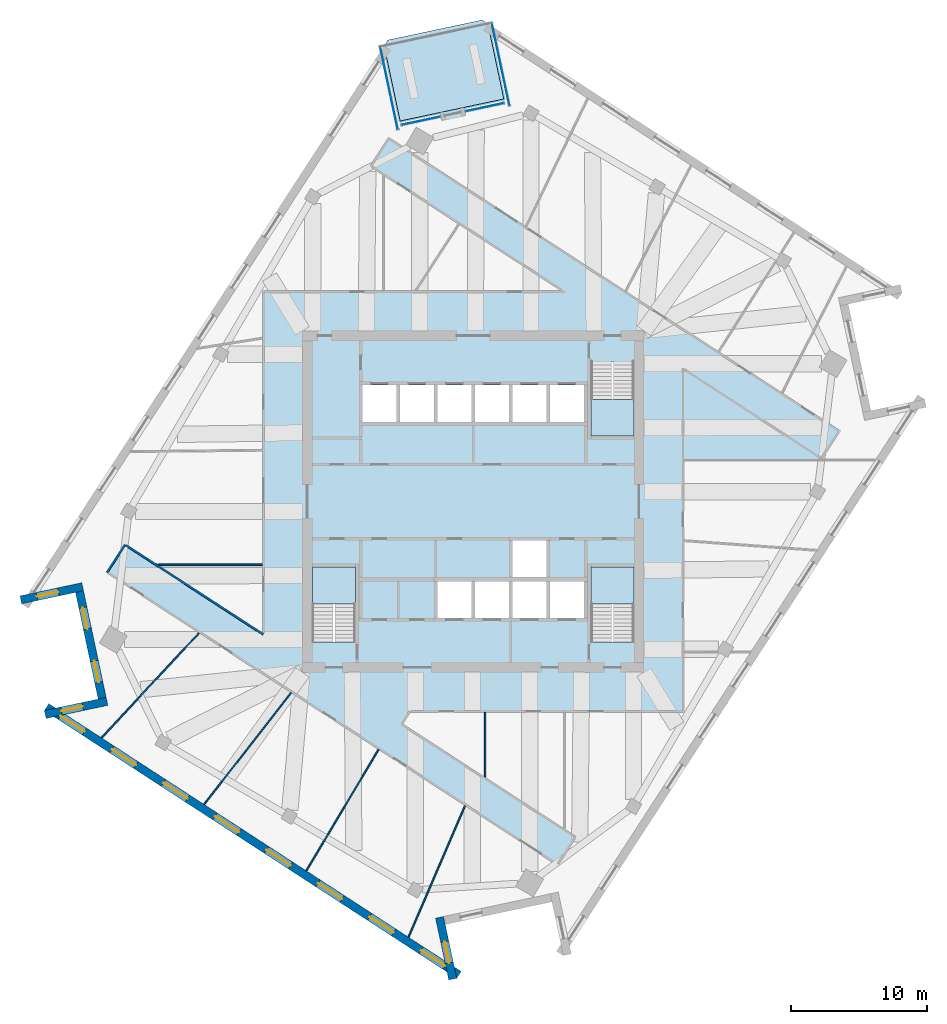
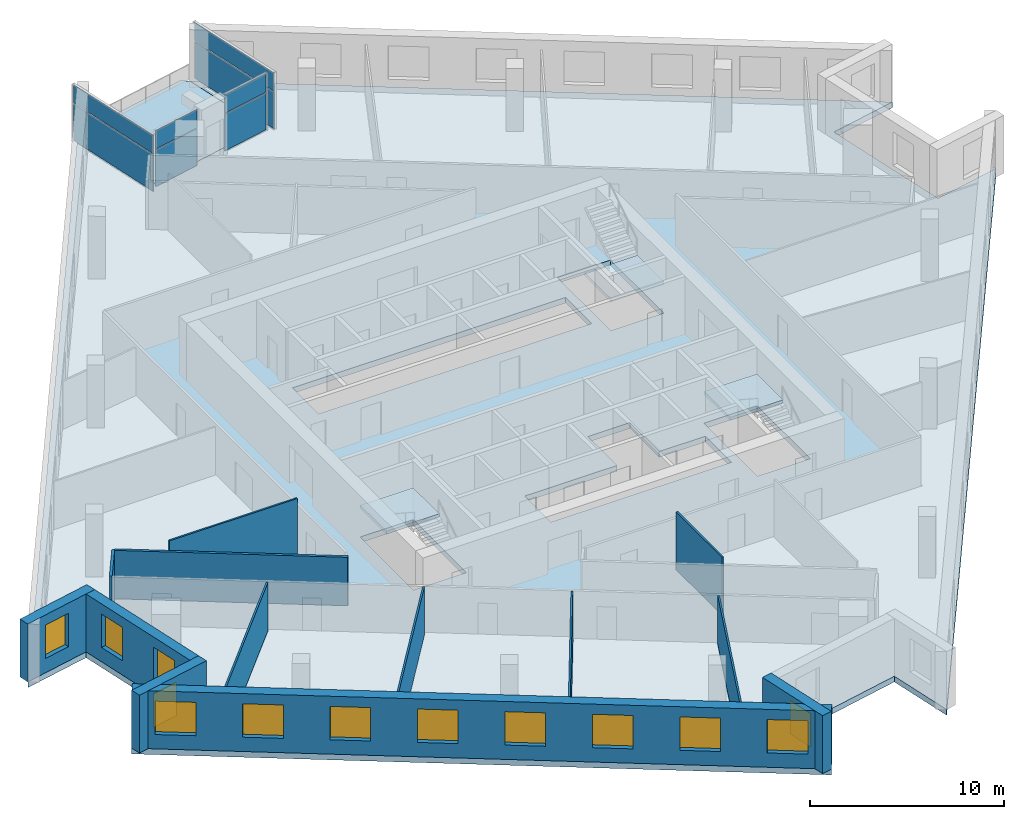
# One storey, part 5 of 12: 13 walls, 13 windows, 8 plates, 5 slabs, 13 openings, 7 elements without a shape of their own.
"""IFC4 building model written with IfcOpenShell, lengths in metres."""

from ifc_helpers import new_model, si_unit, direction, frame, frame_2d, origin, origin_2d, place, context, subcontext, project, spatial, polyline, rectangle, outline, extrude, material, layer, layer_set, type_object, element, fill, aggregate, save


model = new_model("IFC4")

# Units and contexts
model_context = context("Model", 3, precision=1e-05, world=origin(), true_north=direction((0.0, 1.0)))
body_context = subcontext(model_context, "Body", "Model", "MODEL_VIEW")
ifc_project = project(units=[si_unit("LENGTHUNIT", "METRE"), si_unit("AREAUNIT", "SQUARE_METRE"), si_unit("VOLUMEUNIT", "CUBIC_METRE"), si_unit("PLANEANGLEUNIT", "RADIAN"), si_unit("MASSUNIT", "GRAM", prefix="KILO")], contexts=[model_context])

# Site, building, storey
site_placement = place(None, origin())
site = spatial("IfcSite", under=ifc_project, at=site_placement, CompositionType="ELEMENT")
building_placement = place(site_placement, origin())
building = spatial("IfcBuilding", under=site, at=building_placement, Name="Dilmun Exchange Tower", CompositionType="ELEMENT")
storey_placement = place(building_placement, frame((0.0, 0.0, 258.89990234375)))
storey = spatial("IfcBuildingStorey", under=building, at=storey_placement, Name="L61", CompositionType="ELEMENT", Elevation=258.89990234375)

# Stair, slab
ifc_material_1 = material(Name="Concrete C40/50", Category="concrete")
stair_type = type_object("IfcStairType", Name="Exit stair 1500 half-turn", PredefinedType="HALF_TURN_STAIR", material=ifc_material_1)
stair_1_placement = place(storey_placement, origin())
stair_1 = element("IfcStair", 1, at=stair_1_placement, inside=storey, type_object=stair_type, Name="L61 Protected exit stair ST1", PredefinedType="HALF_TURN_STAIR")
ifc_layer_1 = layer(ifc_material_1, 0.199951171875)
ifc_layer_set_1 = layer_set([ifc_layer_1], Name="Concrete C40/50")
slab_type_1 = type_object("IfcSlabType", Name="Exit stair landing 200", PredefinedType="LANDING", material=ifc_layer_set_1)
slab_1_placement = place(storey_placement, frame((0.0, 0.0, 1.800048828125)))
slab_1 = element("IfcSlab", 2, at=slab_1_placement, type_object=slab_type_1, Name="ST1 landing 1", PredefinedType="LANDING", context=body_context, shape_type="SweptSolid", body=[
    extrude(outline(polyline([(8.64990234375, 7.5), (8.64990234375, 4.800048828125), (11.800048828125, 4.800048828125), (11.800048828125, 7.5), (8.64990234375, 7.5)])), origin(), (0.0, 0.0, 1.0), 0.199951171875),
])
aggregate(stair_1, [slab_1])

stair_2_placement = place(storey_placement, origin())
stair_2 = element("IfcStair", 3, at=stair_2_placement, inside=storey, type_object=stair_type, Name="L61 Protected exit stair ST2", PredefinedType="HALF_TURN_STAIR")
slab_2_placement = place(storey_placement, frame((0.0, 0.0, 1.800048828125)))
slab_2 = element("IfcSlab", 4, at=slab_2_placement, type_object=slab_type_1, Name="ST2 landing 1", PredefinedType="LANDING", context=body_context, shape_type="SweptSolid", body=[
    extrude(outline(polyline([(-8.64990234375, -7.5), (-8.64990234375, -4.800048828125), (-11.800048828125, -4.800048828125), (-11.800048828125, -7.5), (-8.64990234375, -7.5)])), origin(), (0.0, 0.0, 1.0), 0.199951171875),
])
aggregate(stair_2, [slab_2])

stair_3_placement = place(storey_placement, origin())
stair_3 = element("IfcStair", 5, at=stair_3_placement, inside=storey, type_object=stair_type, Name="L61 Protected exit stair ST3", PredefinedType="HALF_TURN_STAIR")
slab_3_placement = place(storey_placement, frame((0.0, 0.0, 1.800048828125)))
slab_3 = element("IfcSlab", 6, at=slab_3_placement, type_object=slab_type_1, Name="ST3 landing 1", PredefinedType="LANDING", context=body_context, shape_type="SweptSolid", body=[
    extrude(outline(polyline([(11.800048828125, -7.5), (11.800048828125, -4.800048828125), (8.64990234375, -4.800048828125), (8.64990234375, -7.5), (11.800048828125, -7.5)])), origin(), (0.0, 0.0, 1.0), 0.199951171875),
])
aggregate(stair_3, [slab_3])

# Curtain wall, plates
ifc_material_2 = material(Name="Anodised aluminium and clear glass", Category="aluminium")
curtain_wall_type = type_object("IfcCurtainWallType", Name="Garden corner glazing", PredefinedType="NOTDEFINED", material=ifc_material_2)
curtain_wall_1_placement = place(storey_placement, origin())
curtain_wall_1 = element("IfcCurtainWall", 7, at=curtain_wall_1_placement, inside=storey, type_object=curtain_wall_type, Name="Garden corner glazing run GC1.1", PredefinedType="NOTDEFINED")
ifc_material_3 = material(Name="Clear glass", Category="glass")
ifc_layer_2 = layer(ifc_material_3, 0.028076171875)
ifc_layer_set_2 = layer_set([ifc_layer_2], Name="Clear glass")
plate_type = type_object("IfcPlateType", Name="Garden corner glazing glass panel 28", PredefinedType="CURTAIN_PANEL", material=ifc_layer_set_2)
plate_1_placement = place(storey_placement, frame((2.01806640625, 32.079833984375, 0.06005859375), z_axis=(0.0, 0.0, 1.0), x_axis=(0.207911792498, -0.978147579121, 0.0)))
plate_1 = element("IfcPlate", 8, at=plate_1_placement, type_object=plate_type, Name="GC1.1 panel 1.1", PredefinedType="CURTAIN_PANEL", context=body_context, shape_type="SweptSolid", body=[
    extrude(rectangle(XDim=6.12646484375, YDim=0.028076171875, at=origin_2d()), origin(), (0.0, 0.0, 1.0), 2.31005859375),
])
plate_2_placement = place(storey_placement, frame((2.01806640625, 32.079833984375, 2.43017578125), z_axis=(0.0, 0.0, 1.0), x_axis=(0.207911792498, -0.978147579121, 0.0)))
plate_2 = element("IfcPlate", 9, at=plate_2_placement, type_object=plate_type, Name="GC1.1 panel 1.2", PredefinedType="CURTAIN_PANEL", context=body_context, shape_type="SweptSolid", body=[
    extrude(rectangle(XDim=6.12646484375, YDim=0.028076171875, at=origin_2d()), origin(), (0.0, 0.0, 1.0), 1.14990234375),
])
aggregate(curtain_wall_1, [plate_1, plate_2])

curtain_wall_2_placement = place(storey_placement, origin())
curtain_wall_2 = element("IfcCurtainWall", 10, at=curtain_wall_2_placement, inside=storey, type_object=curtain_wall_type, Name="Garden corner glazing run GC2.1", PredefinedType="NOTDEFINED")
plate_3_placement = place(storey_placement, frame((0.849853515625, 28.9453125, 0.06005859375), z_axis=(0.0, 0.0, 1.0), x_axis=(-0.978152558618, -0.207888364437, 0.0)))
plate_3 = element("IfcPlate", 11, at=plate_3_placement, type_object=plate_type, Name="GC2.1 panel 1.1", PredefinedType="CURTAIN_PANEL", context=body_context, shape_type="SweptSolid", body=[
    extrude(rectangle(XDim=2.869140625, YDim=0.028076171875, at=origin_2d()), origin(), (0.0, 0.0, 1.0), 2.31005859375),
])
plate_4_placement = place(storey_placement, frame((0.849853515625, 28.9453125, 2.43017578125), z_axis=(0.0, 0.0, 1.0), x_axis=(-0.978152558618, -0.207888364437, 0.0)))
plate_4 = element("IfcPlate", 12, at=plate_4_placement, type_object=plate_type, Name="GC2.1 panel 1.2", PredefinedType="CURTAIN_PANEL", context=body_context, shape_type="SweptSolid", body=[
    extrude(rectangle(XDim=2.869140625, YDim=0.028076171875, at=origin_2d()), origin(), (0.0, 0.0, 1.0), 1.14990234375),
])
aggregate(curtain_wall_2, [plate_3, plate_4])

curtain_wall_3_placement = place(storey_placement, origin())
curtain_wall_3 = element("IfcCurtainWall", 13, at=curtain_wall_3_placement, inside=storey, type_object=curtain_wall_type, Name="Garden corner glazing run GC2.3", PredefinedType="NOTDEFINED")
plate_5_placement = place(storey_placement, frame((-3.834716796875, 27.94970703125, 0.06005859375), z_axis=(0.0, 0.0, 1.0), x_axis=(-0.978152558618, -0.207888364437, 0.0)))
plate_5 = element("IfcPlate", 14, at=plate_5_placement, type_object=plate_type, Name="GC2.3 panel 1.1", PredefinedType="CURTAIN_PANEL", context=body_context, shape_type="SweptSolid", body=[
    extrude(rectangle(XDim=2.869140625, YDim=0.028076171875, at=origin_2d()), origin(), (0.0, 0.0, 1.0), 2.31005859375),
])
plate_6_placement = place(storey_placement, frame((-3.834716796875, 27.94970703125, 2.43017578125), z_axis=(0.0, 0.0, 1.0), x_axis=(-0.978152558618, -0.207888364437, 0.0)))
plate_6 = element("IfcPlate", 15, at=plate_6_placement, type_object=plate_type, Name="GC2.3 panel 1.2", PredefinedType="CURTAIN_PANEL", context=body_context, shape_type="SweptSolid", body=[
    extrude(rectangle(XDim=2.869140625, YDim=0.028076171875, at=origin_2d()), origin(), (0.0, 0.0, 1.0), 1.14990234375),
])
aggregate(curtain_wall_3, [plate_5, plate_6])

curtain_wall_4_placement = place(storey_placement, origin())
curtain_wall_4 = element("IfcCurtainWall", 16, at=curtain_wall_4_placement, inside=storey, type_object=curtain_wall_type, Name="Garden corner glazing run GC3.1", PredefinedType="NOTDEFINED")
plate_7_placement = place(storey_placement, frame((-6.177001953125, 30.338134765625, 0.06005859375), z_axis=(0.0, 0.0, 1.0), x_axis=(-0.207911792498, 0.978147579121, 0.0)))
plate_7 = element("IfcPlate", 17, at=plate_7_placement, type_object=plate_type, Name="GC3.1 panel 1.1", PredefinedType="CURTAIN_PANEL", context=body_context, shape_type="SweptSolid", body=[
    extrude(rectangle(XDim=6.12646484375, YDim=0.028076171875, at=origin_2d()), origin(), (0.0, 0.0, 1.0), 2.31005859375),
])
plate_8_placement = place(storey_placement, frame((-6.177001953125, 30.338134765625, 2.43017578125), z_axis=(0.0, 0.0, 1.0), x_axis=(-0.207911792498, 0.978147579121, 0.0)))
plate_8 = element("IfcPlate", 18, at=plate_8_placement, type_object=plate_type, Name="GC3.1 panel 1.2", PredefinedType="CURTAIN_PANEL", context=body_context, shape_type="SweptSolid", body=[
    extrude(rectangle(XDim=6.12646484375, YDim=0.028076171875, at=origin_2d()), origin(), (0.0, 0.0, 1.0), 1.14990234375),
])
aggregate(curtain_wall_4, [plate_7, plate_8])

# Slabs
ifc_layer_3 = layer(ifc_material_1, 0.360107421875)
ifc_layer_set_3 = layer_set([ifc_layer_3], Name="Concrete C40/50")
slab_type_2 = type_object("IfcSlabType", Name="RC floor slab 360", PredefinedType="FLOOR", material=ifc_layer_set_3)
slab_4_placement = place(storey_placement, frame((0.0, 0.0, -0.35986328125)))
element("IfcSlab", 19, at=slab_4_placement, inside=storey, type_object=slab_type_2, Name="Floor slab", PredefinedType="FLOOR", context=body_context, shape_type="SweptSolid", body=[
    extrude(outline(polyline([(27.524169921875, 14.494140625), (29.1875, 6.6689453125), (33.134765625, 7.5078125), (6.618408203125, -33.32373046875), (5.779296875, -29.37646484375), (-2.0458984375, -31.039794921875), (-1.206787109375, -34.987060546875), (-31.471435546875, -15.3330078125), (-27.524169921875, -14.494140625), (-29.1875, -6.6689453125), (-33.134765625, -7.5078125), (-6.53271484375, 33.455322265625), (-5.35888671875, 27.932373046875), (2.249267578125, 29.549560546875), (1.075439453125, 35.072509765625), (31.471435546875, 15.3330078125), (27.524169921875, 14.494140625)]), holes=[polyline([(-8.64990234375, -4.800048828125), (-11.800048828125, -4.800048828125), (-11.800048828125, -10.294921875), (-8.64990234375, -10.294921875), (-8.64990234375, -4.800048828125)]), polyline([(11.800048828125, -4.800048828125), (8.64990234375, -4.800048828125), (8.64990234375, -10.294921875), (11.800048828125, -10.294921875), (11.800048828125, -4.800048828125)]), polyline([(2.875, -5.85009765625), (-2.625, -5.85009765625), (-2.625, -8.550048828125), (8.125, -8.550048828125), (8.125, -5.85009765625), (5.375, -5.85009765625), (5.375, -2.85009765625), (2.875, -2.85009765625), (2.875, -5.85009765625)]), polyline([(8.125, 5.85009765625), (8.125, 8.550048828125), (-8.125, 8.550048828125), (-8.125, 5.85009765625), (8.125, 5.85009765625)]), polyline([(8.64990234375, 10.294921875), (8.64990234375, 4.800048828125), (11.800048828125, 4.800048828125), (11.800048828125, 10.294921875), (8.64990234375, 10.294921875)])]), origin(), (0.0, 0.0, 1.0), 0.35986328125),
])
ifc_layer_4 = layer(ifc_material_1, 0.300048828125)
ifc_layer_set_4 = layer_set([ifc_layer_4], Name="Concrete C40/50")
slab_type_3 = type_object("IfcSlabType", Name="RC garden terrace slab 300", PredefinedType="FLOOR", material=ifc_layer_set_4)
slab_5_placement = place(storey_placement, frame((0.0, 0.0, -0.2998046875)))
element("IfcSlab", 20, at=slab_5_placement, inside=storey, type_object=slab_type_3, Name="Garden terrace slab", PredefinedType="FLOOR", context=body_context, shape_type="SweptSolid", body=[
    extrude(outline(polyline([(-5.35888671875, 27.932373046875), (-6.53271484375, 33.455322265625), (-6.260498046875, 33.874755859375), (0.656005859375, 35.344970703125), (1.075439453125, 35.072509765625), (2.249267578125, 29.549560546875), (-5.35888671875, 27.932373046875)])), origin(), (0.0, 0.0, 1.0), 0.2998046875),
])

# Walls
ifc_material_4 = material(Name="Corridor wall 150")
ifc_layer_5 = layer(ifc_material_4, 0.14990234375)
ifc_layer_set_5 = layer_set([ifc_layer_5], Name="Corridor wall 150")
wall_type_1 = type_object("IfcWallType", Name="Corridor wall 150", PredefinedType="PARTITIONING", material=ifc_layer_set_5)
wall_1_placement = place(storey_placement, frame((-26.85400390625, -5.179931640625, 0.0), z_axis=(0.0, 0.0, 1.0), x_axis=(0.544727214821, 0.838613296719, 0.0)))
element("IfcWall", 21, at=wall_1_placement, inside=storey, type_object=wall_type_1, Name="Corridor wall", PredefinedType="PARTITIONING", context=body_context, shape_type="SweptSolid", body=[
    extrude(rectangle(XDim=2.399169921875, YDim=0.14990234375, at=frame_2d((1.19970703125, 0.0))), origin(), (0.0, 0.0, 1.0), 3.0400390625),
])
wall_2_placement = place(storey_placement, frame((-25.484130859375, -3.208984375, 0.0), z_axis=(0.0, 0.0, 1.0), x_axis=(0.838696356723, -0.544599321721, 0.0)))
element("IfcWall", 22, at=wall_2_placement, inside=storey, type_object=wall_type_1, Name="Corridor wall", PredefinedType="PARTITIONING", context=body_context, shape_type="SweptSolid", body=[
    extrude(rectangle(XDim=12.023681640625, YDim=0.14990234375, at=frame_2d((6.01171875, 0.0))), origin(), (0.0, 0.0, 1.0), 3.0400390625),
])
ifc_material_5 = material(Name="Partition 100")
ifc_layer_6 = layer(ifc_material_5, 0.10009765625)
ifc_layer_set_6 = layer_set([ifc_layer_6], Name="Partition 100")
wall_type_2 = type_object("IfcWallType", Name="Partition 100", PredefinedType="PARTITIONING", material=ifc_layer_set_6)
wall_3_placement = place(storey_placement, frame((-27.27392578125, -17.341064453125, 0.0), z_axis=(0.0, 0.0, 1.0), x_axis=(0.680597347882, 0.732657662252, 0.0)))
element("IfcWall", 23, at=wall_3_placement, inside=storey, type_object=wall_type_2, Name="Partition", PredefinedType="PARTITIONING", context=body_context, shape_type="SweptSolid", body=[
    extrude(rectangle(XDim=10.5, YDim=0.10009765625, at=frame_2d((5.25, 0.0))), origin(), (0.0, 0.0, 1.0), 3.0400390625),
])
wall_4_placement = place(storey_placement, frame((-23.0693359375, -4.636962890625, 0.0), z_axis=(0.0, 0.0, 1.0), x_axis=(1.0, 0.0, 0.0)))
element("IfcWall", 24, at=wall_4_placement, inside=storey, type_object=wall_type_2, Name="Partition", PredefinedType="PARTITIONING", context=body_context, shape_type="SweptSolid", body=[
    extrude(rectangle(XDim=7.59423828125, YDim=0.10009765625, at=frame_2d((3.797119140625, 0.0))), origin(), (0.0, 0.0, 1.0), 3.64013671875),
])
wall_5_placement = place(storey_placement, frame((-19.751220703125, -22.226318359375, 0.0), z_axis=(0.0, 0.0, 1.0), x_axis=(0.615010755177, 0.788518719509, 0.0)))
element("IfcWall", 25, at=wall_5_placement, inside=storey, type_object=wall_type_2, Name="Partition", PredefinedType="PARTITIONING", context=body_context, shape_type="SweptSolid", body=[
    extrude(rectangle(XDim=10.38720703125, YDim=0.10009765625, at=frame_2d((5.193603515625, 0.0))), origin(), (0.0, 0.0, 1.0), 3.0400390625),
])
wall_6_placement = place(storey_placement, frame((-12.24755859375, -27.099365234375, 0.0), z_axis=(0.0, 0.0, 1.0), x_axis=(0.511779266972, 0.859116978005, 0.0)))
element("IfcWall", 26, at=wall_6_placement, inside=storey, type_object=wall_type_2, Name="Partition", PredefinedType="PARTITIONING", context=body_context, shape_type="SweptSolid", body=[
    extrude(rectangle(XDim=10.3583984375, YDim=0.10009765625, at=frame_2d((5.17919921875, 0.0))), origin(), (0.0, 0.0, 1.0), 3.0400390625),
])
wall_7_placement = place(storey_placement, frame((-4.74755859375, -31.969970703125, 0.0), z_axis=(0.0, 0.0, 1.0), x_axis=(0.395131798832, 0.918624439884, 0.0)))
element("IfcWall", 27, at=wall_7_placement, inside=storey, type_object=wall_type_2, Name="Partition", PredefinedType="PARTITIONING", context=body_context, shape_type="SweptSolid", body=[
    extrude(rectangle(XDim=10.4951171875, YDim=0.10009765625, at=frame_2d((5.24755859375, 0.0))), origin(), (0.0, 0.0, 1.0), 3.0400390625),
])
wall_8_placement = place(storey_placement, frame((0.876953125, -20.205078125, 0.0), z_axis=(0.0, 0.0, 1.0), x_axis=(0.0, 1.0, 0.0)))
element("IfcWall", 28, at=wall_8_placement, inside=storey, type_object=wall_type_2, Name="Partition", PredefinedType="PARTITIONING", context=body_context, shape_type="SweptSolid", body=[
    extrude(rectangle(XDim=4.72998046875, YDim=0.10009765625, at=frame_2d((2.364990234375, 0.0))), origin(), (0.0, 0.0, 1.0), 3.64013671875),
])

# Wall, opening, window
ifc_material_6 = material(Name="Precast concrete C50/60", Category="concrete")
ifc_layer_7 = layer(ifc_material_6, 0.60009765625)
ifc_layer_set_7 = layer_set([ifc_layer_7], Name="Precast concrete C50/60")
wall_type_3 = type_object("IfcWallType", Name="Precast stone-clad wall 600", PredefinedType="STANDARD", material=ifc_layer_set_7)
wall_9_placement = place(storey_placement, frame((-33.197021484375, -7.214599609375, 0.0), z_axis=(0.0, 0.0, 1.0), x_axis=(0.978143321118, 0.207931823809, 0.0)))
wall_9 = element("IfcWall", 29, at=wall_9_placement, inside=storey, type_object=wall_type_3, Name="Facade wall L61-04", PredefinedType="STANDARD", context=body_context, shape_type="SweptSolid", body=[
    extrude(rectangle(XDim=4.635498046875, YDim=0.60009765625, at=frame_2d((2.31787109375, 0.0))), origin(), (0.0, 0.0, 1.0), 3.64013671875),
])
opening_1_placement = place(wall_9_placement, frame((1.2177734375, 0.0, 0.89990234375)))
opening_1 = element("IfcOpeningElement", 30, at=opening_1_placement, cuts=wall_9, Name="Opening W160-210", PredefinedType="OPENING", context=body_context, shape_type="SweptSolid", body=[
    extrude(rectangle(XDim=1.60009765625, YDim=2.10009765625, at=frame_2d((0.800048828125, 1.050048828125))), frame((0.0, 0.31005859375, 0.0), z_axis=(0.0, -1.0, 0.0), x_axis=(1.0, 0.0, 0.0)), (0.0, 0.0, 1.0), 0.6201171875),
])
ifc_material_7 = material(Name="Clear low-emissivity glass in aluminium frame", Category="aluminium")
window_type_1 = type_object("IfcWindowType", Name="Punched window 1600 x 2100", PartitioningType="DOUBLE_PANEL_VERTICAL", PredefinedType="WINDOW", material=ifc_material_7)
window_1_placement = place(opening_1_placement, origin())
window_1 = element("IfcWindow", 31, at=window_1_placement, inside=storey, type_object=window_type_1, Name="Window 5.1", OverallHeight=2.10009765625, OverallWidth=1.60009765625, PartitioningType="SINGLE_PANEL", PredefinedType="WINDOW", context=body_context, shape_type="SweptSolid", body=[
    extrude(rectangle(XDim=1.60009765625, YDim=2.10009765625, at=frame_2d((0.800048828125, 1.050048828125))), frame((0.0, 0.030029296875, 0.0), z_axis=(0.0, -1.0, 0.0), x_axis=(1.0, 0.0, 0.0)), (0.0, 0.0, 1.0), 0.06005859375),
])
fill(opening_1, window_1)

# Wall, openings, windows
wall_10_placement = place(storey_placement, frame((-28.893798828125, -6.6064453125, 0.0), z_axis=(0.0, 0.0, 1.0), x_axis=(0.207886494942, -0.978152955943, 0.0)))
wall_10 = element("IfcWall", 32, at=wall_10_placement, inside=storey, type_object=wall_type_3, Name="Facade wall L61-05", PredefinedType="STANDARD", context=body_context, shape_type="SweptSolid", body=[
    extrude(rectangle(XDim=8.0, YDim=0.60009765625, at=frame_2d((4.0, 0.0))), origin(), (0.0, 0.0, 1.0), 3.64013671875),
])
opening_2_placement = place(wall_10_placement, frame((1.199951171875, 0.0, 0.89990234375)))
opening_2 = element("IfcOpeningElement", 33, at=opening_2_placement, cuts=wall_10, Name="Opening W160-210", PredefinedType="OPENING", context=body_context, shape_type="SweptSolid", body=[
    extrude(rectangle(XDim=1.60009765625, YDim=2.10009765625, at=frame_2d((0.800048828125, 1.050048828125))), frame((0.0, 0.31005859375, 0.0), z_axis=(0.0, -1.0, 0.0), x_axis=(1.0, 0.0, 0.0)), (0.0, 0.0, 1.0), 0.6201171875),
])
opening_3_placement = place(wall_10_placement, frame((5.199951171875, 0.0, 0.89990234375)))
opening_3 = element("IfcOpeningElement", 34, at=opening_3_placement, cuts=wall_10, Name="Opening W160-210", PredefinedType="OPENING", context=body_context, shape_type="SweptSolid", body=[
    extrude(rectangle(XDim=1.60009765625, YDim=2.10009765625, at=frame_2d((0.800048828125, 1.050048828125))), frame((0.0, 0.31005859375, 0.0), z_axis=(0.0, -1.0, 0.0), x_axis=(1.0, 0.0, 0.0)), (0.0, 0.0, 1.0), 0.6201171875),
])
window_2_placement = place(opening_2_placement, origin())
window_2 = element("IfcWindow", 35, at=window_2_placement, inside=storey, type_object=window_type_1, Name="Window 6.1", OverallHeight=2.10009765625, OverallWidth=1.60009765625, PartitioningType="SINGLE_PANEL", PredefinedType="WINDOW", context=body_context, shape_type="SweptSolid", body=[
    extrude(rectangle(XDim=1.60009765625, YDim=2.10009765625, at=frame_2d((0.800048828125, 1.050048828125))), frame((0.0, 0.030029296875, 0.0), z_axis=(0.0, -1.0, 0.0), x_axis=(1.0, 0.0, 0.0)), (0.0, 0.0, 1.0), 0.06005859375),
])
fill(opening_2, window_2)
window_3_placement = place(opening_3_placement, origin())
window_3 = element("IfcWindow", 36, at=window_3_placement, inside=storey, type_object=window_type_1, Name="Window 6.2", OverallHeight=2.10009765625, OverallWidth=1.60009765625, PartitioningType="SINGLE_PANEL", PredefinedType="WINDOW", context=body_context, shape_type="SweptSolid", body=[
    extrude(rectangle(XDim=1.60009765625, YDim=2.10009765625, at=frame_2d((0.800048828125, 1.050048828125))), frame((0.0, 0.030029296875, 0.0), z_axis=(0.0, -1.0, 0.0), x_axis=(1.0, 0.0, 0.0)), (0.0, 0.0, 1.0), 0.06005859375),
])
fill(opening_3, window_3)

# Wall, opening, window
wall_11_placement = place(storey_placement, frame((-26.874755859375, -14.662841796875, 0.0), z_axis=(0.0, 0.0, 1.0), x_axis=(-0.978145598061, -0.207921112429, 0.0)))
wall_11 = element("IfcWall", 37, at=wall_11_placement, inside=storey, type_object=wall_type_3, Name="Facade wall L61-06", PredefinedType="STANDARD", context=body_context, shape_type="SweptSolid", body=[
    extrude(rectangle(XDim=4.6357421875, YDim=0.60009765625, at=frame_2d((2.31787109375, 0.0))), origin(), (0.0, 0.0, 1.0), 3.64013671875),
])
opening_4_placement = place(wall_11_placement, frame((1.81787109375, 0.0, 0.89990234375)))
opening_4 = element("IfcOpeningElement", 38, at=opening_4_placement, cuts=wall_11, Name="Opening W160-210", PredefinedType="OPENING", context=body_context, shape_type="SweptSolid", body=[
    extrude(rectangle(XDim=1.60009765625, YDim=2.10009765625, at=frame_2d((0.800048828125, 1.050048828125))), frame((0.0, 0.31005859375, 0.0), z_axis=(0.0, -1.0, 0.0), x_axis=(1.0, 0.0, 0.0)), (0.0, 0.0, 1.0), 0.6201171875),
])
window_4_placement = place(opening_4_placement, origin())
window_4 = element("IfcWindow", 39, at=window_4_placement, inside=storey, type_object=window_type_1, Name="Window 7.1", OverallHeight=2.10009765625, OverallWidth=1.60009765625, PartitioningType="SINGLE_PANEL", PredefinedType="WINDOW", context=body_context, shape_type="SweptSolid", body=[
    extrude(rectangle(XDim=1.60009765625, YDim=2.10009765625, at=frame_2d((0.800048828125, 1.050048828125))), frame((0.0, 0.030029296875, 0.0), z_axis=(0.0, -1.0, 0.0), x_axis=(1.0, 0.0, 0.0)), (0.0, 0.0, 1.0), 0.06005859375),
])
fill(opening_4, window_4)

# Wall, openings, windows
wall_12_placement = place(storey_placement, frame((-31.30810546875, -15.08154296875, 0.0), z_axis=(0.0, 0.0, 1.0), x_axis=(0.838671071298, -0.54463825992, 0.0)))
wall_12 = element("IfcWall", 40, at=wall_12_placement, inside=storey, type_object=wall_type_3, Name="Facade wall L61-07", PredefinedType="STANDARD", context=body_context, shape_type="SweptSolid", body=[
    extrude(rectangle(XDim=36.08642578125, YDim=0.60009765625, at=frame_2d((18.043212890625, 0.0))), origin(), (0.0, 0.0, 1.0), 3.64013671875),
])
opening_5_placement = place(wall_12_placement, frame((1.205322265625, 0.0, 0.89990234375)))
opening_5 = element("IfcOpeningElement", 41, at=opening_5_placement, cuts=wall_12, Name="Opening W210-210", PredefinedType="OPENING", context=body_context, shape_type="SweptSolid", body=[
    extrude(rectangle(XDim=2.10009765625, YDim=2.10009765625, at=frame_2d((1.050048828125, 1.050048828125))), frame((0.0, 0.31005859375, 0.0), z_axis=(0.0, -1.0, 0.0), x_axis=(1.0, 0.0, 0.0)), (0.0, 0.0, 1.0), 0.6201171875),
])
opening_6_placement = place(wall_12_placement, frame((5.71630859375, 0.0, 0.89990234375)))
opening_6 = element("IfcOpeningElement", 42, at=opening_6_placement, cuts=wall_12, Name="Opening W210-210", PredefinedType="OPENING", context=body_context, shape_type="SweptSolid", body=[
    extrude(rectangle(XDim=2.10009765625, YDim=2.10009765625, at=frame_2d((1.050048828125, 1.050048828125))), frame((0.0, 0.31005859375, 0.0), z_axis=(0.0, -1.0, 0.0), x_axis=(1.0, 0.0, 0.0)), (0.0, 0.0, 1.0), 0.6201171875),
])
opening_7_placement = place(wall_12_placement, frame((10.22705078125, 0.0, 0.89990234375)))
opening_7 = element("IfcOpeningElement", 43, at=opening_7_placement, cuts=wall_12, Name="Opening W210-210", PredefinedType="OPENING", context=body_context, shape_type="SweptSolid", body=[
    extrude(rectangle(XDim=2.10009765625, YDim=2.10009765625, at=frame_2d((1.050048828125, 1.050048828125))), frame((0.0, 0.31005859375, 0.0), z_axis=(0.0, -1.0, 0.0), x_axis=(1.0, 0.0, 0.0)), (0.0, 0.0, 1.0), 0.6201171875),
])
opening_8_placement = place(wall_12_placement, frame((14.73779296875, 0.0, 0.89990234375)))
opening_8 = element("IfcOpeningElement", 44, at=opening_8_placement, cuts=wall_12, Name="Opening W210-210", PredefinedType="OPENING", context=body_context, shape_type="SweptSolid", body=[
    extrude(rectangle(XDim=2.10009765625, YDim=2.10009765625, at=frame_2d((1.050048828125, 1.050048828125))), frame((0.0, 0.31005859375, 0.0), z_axis=(0.0, -1.0, 0.0), x_axis=(1.0, 0.0, 0.0)), (0.0, 0.0, 1.0), 0.6201171875),
])
opening_9_placement = place(wall_12_placement, frame((19.24853515625, 0.0, 0.89990234375)))
opening_9 = element("IfcOpeningElement", 45, at=opening_9_placement, cuts=wall_12, Name="Opening W210-210", PredefinedType="OPENING", context=body_context, shape_type="SweptSolid", body=[
    extrude(rectangle(XDim=2.10009765625, YDim=2.10009765625, at=frame_2d((1.050048828125, 1.050048828125))), frame((0.0, 0.31005859375, 0.0), z_axis=(0.0, -1.0, 0.0), x_axis=(1.0, 0.0, 0.0)), (0.0, 0.0, 1.0), 0.6201171875),
])
opening_10_placement = place(wall_12_placement, frame((23.75927734375, 0.0, 0.89990234375)))
opening_10 = element("IfcOpeningElement", 46, at=opening_10_placement, cuts=wall_12, Name="Opening W210-210", PredefinedType="OPENING", context=body_context, shape_type="SweptSolid", body=[
    extrude(rectangle(XDim=2.10009765625, YDim=2.10009765625, at=frame_2d((1.050048828125, 1.050048828125))), frame((0.0, 0.31005859375, 0.0), z_axis=(0.0, -1.0, 0.0), x_axis=(1.0, 0.0, 0.0)), (0.0, 0.0, 1.0), 0.6201171875),
])
opening_11_placement = place(wall_12_placement, frame((28.27001953125, 0.0, 0.89990234375)))
opening_11 = element("IfcOpeningElement", 47, at=opening_11_placement, cuts=wall_12, Name="Opening W210-210", PredefinedType="OPENING", context=body_context, shape_type="SweptSolid", body=[
    extrude(rectangle(XDim=2.10009765625, YDim=2.10009765625, at=frame_2d((1.050048828125, 1.050048828125))), frame((0.0, 0.31005859375, 0.0), z_axis=(0.0, -1.0, 0.0), x_axis=(1.0, 0.0, 0.0)), (0.0, 0.0, 1.0), 0.6201171875),
])
opening_12_placement = place(wall_12_placement, frame((32.781005859375, 0.0, 0.89990234375)))
opening_12 = element("IfcOpeningElement", 48, at=opening_12_placement, cuts=wall_12, Name="Opening W210-210", PredefinedType="OPENING", context=body_context, shape_type="SweptSolid", body=[
    extrude(rectangle(XDim=2.10009765625, YDim=2.10009765625, at=frame_2d((1.050048828125, 1.050048828125))), frame((0.0, 0.31005859375, 0.0), z_axis=(0.0, -1.0, 0.0), x_axis=(1.0, 0.0, 0.0)), (0.0, 0.0, 1.0), 0.6201171875),
])
window_type_2 = type_object("IfcWindowType", Name="Punched window 2100 x 2100", PartitioningType="DOUBLE_PANEL_VERTICAL", PredefinedType="WINDOW", material=ifc_material_7)
window_5_placement = place(opening_5_placement, origin())
window_5 = element("IfcWindow", 49, at=window_5_placement, inside=storey, type_object=window_type_2, Name="Window 8.1", OverallHeight=2.10009765625, OverallWidth=2.10009765625, PartitioningType="SINGLE_PANEL", PredefinedType="WINDOW", context=body_context, shape_type="SweptSolid", body=[
    extrude(rectangle(XDim=2.10009765625, YDim=2.10009765625, at=frame_2d((1.050048828125, 1.050048828125))), frame((0.0, 0.030029296875, 0.0), z_axis=(0.0, -1.0, 0.0), x_axis=(1.0, 0.0, 0.0)), (0.0, 0.0, 1.0), 0.06005859375),
])
fill(opening_5, window_5)
window_6_placement = place(opening_6_placement, origin())
window_6 = element("IfcWindow", 50, at=window_6_placement, inside=storey, type_object=window_type_2, Name="Window 8.2", OverallHeight=2.10009765625, OverallWidth=2.10009765625, PartitioningType="SINGLE_PANEL", PredefinedType="WINDOW", context=body_context, shape_type="SweptSolid", body=[
    extrude(rectangle(XDim=2.10009765625, YDim=2.10009765625, at=frame_2d((1.050048828125, 1.050048828125))), frame((0.0, 0.030029296875, 0.0), z_axis=(0.0, -1.0, 0.0), x_axis=(1.0, 0.0, 0.0)), (0.0, 0.0, 1.0), 0.06005859375),
])
fill(opening_6, window_6)
window_7_placement = place(opening_7_placement, origin())
window_7 = element("IfcWindow", 51, at=window_7_placement, inside=storey, type_object=window_type_2, Name="Window 8.3", OverallHeight=2.10009765625, OverallWidth=2.10009765625, PartitioningType="SINGLE_PANEL", PredefinedType="WINDOW", context=body_context, shape_type="SweptSolid", body=[
    extrude(rectangle(XDim=2.10009765625, YDim=2.10009765625, at=frame_2d((1.050048828125, 1.050048828125))), frame((0.0, 0.030029296875, 0.0), z_axis=(0.0, -1.0, 0.0), x_axis=(1.0, 0.0, 0.0)), (0.0, 0.0, 1.0), 0.06005859375),
])
fill(opening_7, window_7)
window_8_placement = place(opening_8_placement, origin())
window_8 = element("IfcWindow", 52, at=window_8_placement, inside=storey, type_object=window_type_2, Name="Window 8.4", OverallHeight=2.10009765625, OverallWidth=2.10009765625, PartitioningType="SINGLE_PANEL", PredefinedType="WINDOW", context=body_context, shape_type="SweptSolid", body=[
    extrude(rectangle(XDim=2.10009765625, YDim=2.10009765625, at=frame_2d((1.050048828125, 1.050048828125))), frame((0.0, 0.030029296875, 0.0), z_axis=(0.0, -1.0, 0.0), x_axis=(1.0, 0.0, 0.0)), (0.0, 0.0, 1.0), 0.06005859375),
])
fill(opening_8, window_8)
window_9_placement = place(opening_9_placement, origin())
window_9 = element("IfcWindow", 53, at=window_9_placement, inside=storey, type_object=window_type_2, Name="Window 8.5", OverallHeight=2.10009765625, OverallWidth=2.10009765625, PartitioningType="SINGLE_PANEL", PredefinedType="WINDOW", context=body_context, shape_type="SweptSolid", body=[
    extrude(rectangle(XDim=2.10009765625, YDim=2.10009765625, at=frame_2d((1.050048828125, 1.050048828125))), frame((0.0, 0.030029296875, 0.0), z_axis=(0.0, -1.0, 0.0), x_axis=(1.0, 0.0, 0.0)), (0.0, 0.0, 1.0), 0.06005859375),
])
fill(opening_9, window_9)
window_10_placement = place(opening_10_placement, origin())
window_10 = element("IfcWindow", 54, at=window_10_placement, inside=storey, type_object=window_type_2, Name="Window 8.6", OverallHeight=2.10009765625, OverallWidth=2.10009765625, PartitioningType="SINGLE_PANEL", PredefinedType="WINDOW", context=body_context, shape_type="SweptSolid", body=[
    extrude(rectangle(XDim=2.10009765625, YDim=2.10009765625, at=frame_2d((1.050048828125, 1.050048828125))), frame((0.0, 0.030029296875, 0.0), z_axis=(0.0, -1.0, 0.0), x_axis=(1.0, 0.0, 0.0)), (0.0, 0.0, 1.0), 0.06005859375),
])
fill(opening_10, window_10)
window_11_placement = place(opening_11_placement, origin())
window_11 = element("IfcWindow", 55, at=window_11_placement, inside=storey, type_object=window_type_2, Name="Window 8.7", OverallHeight=2.10009765625, OverallWidth=2.10009765625, PartitioningType="SINGLE_PANEL", PredefinedType="WINDOW", context=body_context, shape_type="SweptSolid", body=[
    extrude(rectangle(XDim=2.10009765625, YDim=2.10009765625, at=frame_2d((1.050048828125, 1.050048828125))), frame((0.0, 0.030029296875, 0.0), z_axis=(0.0, -1.0, 0.0), x_axis=(1.0, 0.0, 0.0)), (0.0, 0.0, 1.0), 0.06005859375),
])
fill(opening_11, window_11)
window_12_placement = place(opening_12_placement, origin())
window_12 = element("IfcWindow", 56, at=window_12_placement, inside=storey, type_object=window_type_2, Name="Window 8.8", OverallHeight=2.10009765625, OverallWidth=2.10009765625, PartitioningType="SINGLE_PANEL", PredefinedType="WINDOW", context=body_context, shape_type="SweptSolid", body=[
    extrude(rectangle(XDim=2.10009765625, YDim=2.10009765625, at=frame_2d((1.050048828125, 1.050048828125))), frame((0.0, 0.030029296875, 0.0), z_axis=(0.0, -1.0, 0.0), x_axis=(1.0, 0.0, 0.0)), (0.0, 0.0, 1.0), 0.06005859375),
])
fill(opening_12, window_12)

# Wall, opening, window
wall_13_placement = place(storey_placement, frame((-1.50048828125, -35.049560546875, 0.0), z_axis=(0.0, 0.0, 1.0), x_axis=(-0.207881432465, 0.978154031856, 0.0)))
wall_13 = element("IfcWall", 57, at=wall_13_placement, inside=storey, type_object=wall_type_3, Name="Facade wall L61-08", PredefinedType="STANDARD", context=body_context, shape_type="SweptSolid", body=[
    extrude(rectangle(XDim=4.635498046875, YDim=0.60009765625, at=frame_2d((2.31787109375, 0.0))), origin(), (0.0, 0.0, 1.0), 3.64013671875),
])
opening_13_placement = place(wall_13_placement, frame((1.2177734375, 0.0, 0.89990234375)))
opening_13 = element("IfcOpeningElement", 58, at=opening_13_placement, cuts=wall_13, Name="Opening W160-210", PredefinedType="OPENING", context=body_context, shape_type="SweptSolid", body=[
    extrude(rectangle(XDim=1.60009765625, YDim=2.10009765625, at=frame_2d((0.800048828125, 1.050048828125))), frame((0.0, 0.31005859375, 0.0), z_axis=(0.0, -1.0, 0.0), x_axis=(1.0, 0.0, 0.0)), (0.0, 0.0, 1.0), 0.6201171875),
])
window_13_placement = place(opening_13_placement, origin())
window_13 = element("IfcWindow", 59, at=window_13_placement, inside=storey, type_object=window_type_1, Name="Window 9.1", OverallHeight=2.10009765625, OverallWidth=1.60009765625, PartitioningType="SINGLE_PANEL", PredefinedType="WINDOW", context=body_context, shape_type="SweptSolid", body=[
    extrude(rectangle(XDim=1.60009765625, YDim=2.10009765625, at=frame_2d((0.800048828125, 1.050048828125))), frame((0.0, 0.030029296875, 0.0), z_axis=(0.0, -1.0, 0.0), x_axis=(1.0, 0.0, 0.0)), (0.0, 0.0, 1.0), 0.06005859375),
])
fill(opening_13, window_13)

save(model, "model.ifc")
